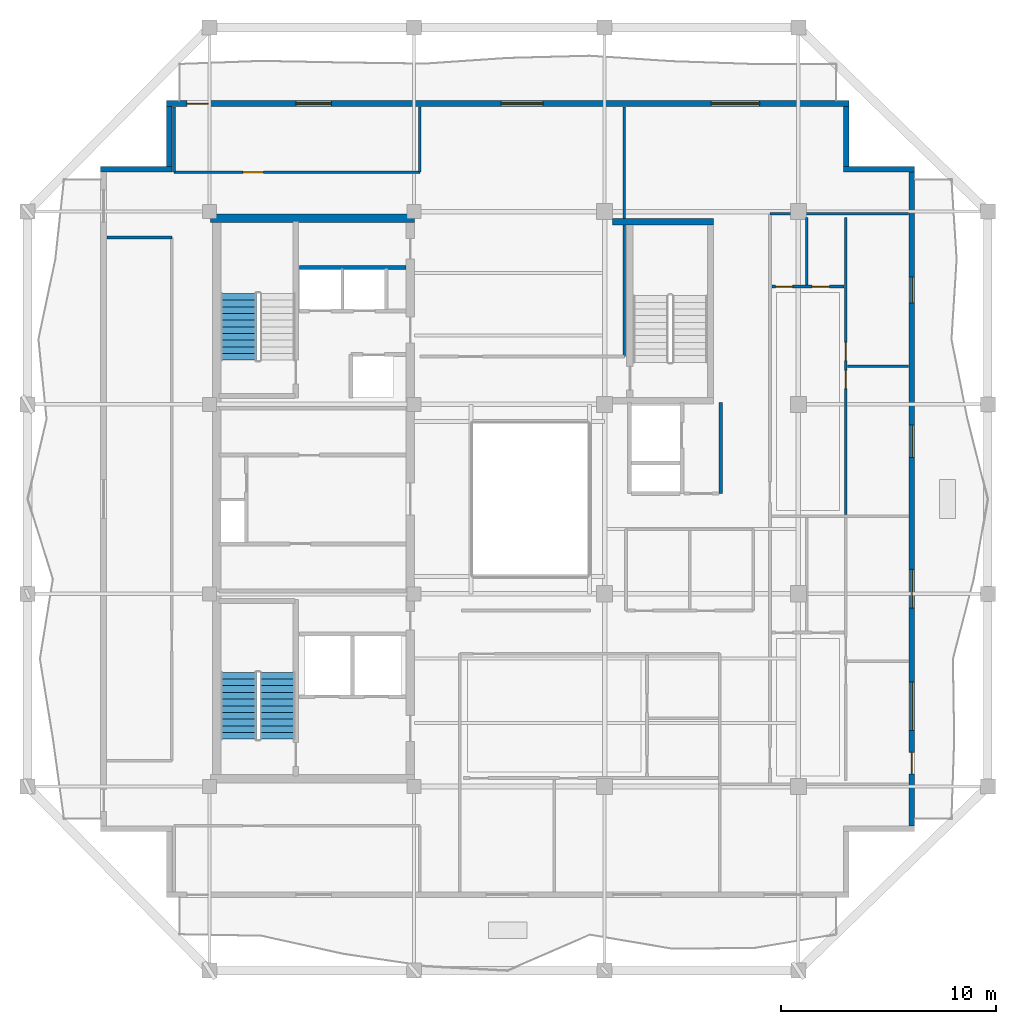
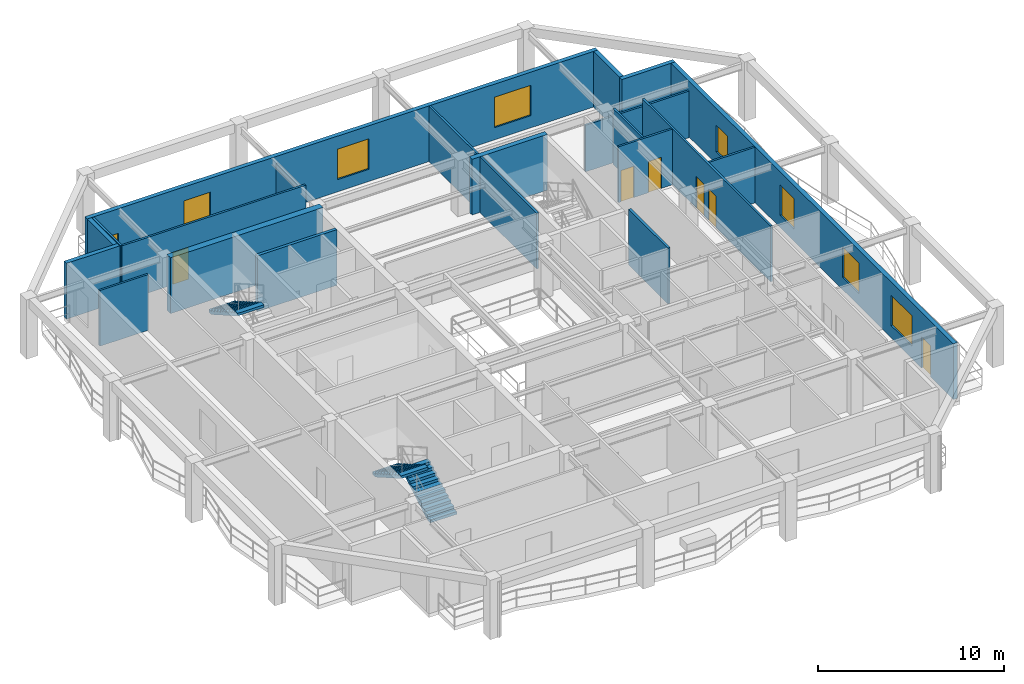
# One storey, part 5 of 10: 20 walls, 7 doors, 7 windows, 3 stair flights, 14 openings, 2 elements without a shape of their own.
"""IFC4 building model written with IfcOpenShell, lengths in metres."""

from ifc_helpers import new_model, si_unit, direction, frame, frame_2d, origin, place, context, subcontext, project, spatial, polyline, rectangle, outline, extrude, material, layer, layer_set, type_object, element, fill, aggregate, save


model = new_model("IFC4")

# Units and contexts
model_context = context("Model", 3, precision=1e-05, world=origin(), true_north=direction((0.0, 1.0)))
body_context = subcontext(model_context, "Body", "Model", "MODEL_VIEW")
ifc_project = project(units=[si_unit("LENGTHUNIT", "METRE"), si_unit("AREAUNIT", "SQUARE_METRE"), si_unit("VOLUMEUNIT", "CUBIC_METRE"), si_unit("PLANEANGLEUNIT", "RADIAN"), si_unit("MASSUNIT", "GRAM", prefix="KILO")], contexts=[model_context])

# Site, building, storey
site_placement = place(None, origin())
site = spatial("IfcSite", under=ifc_project, at=site_placement, CompositionType="ELEMENT")
building_placement = place(site_placement, origin())
building = spatial("IfcBuilding", under=site, at=building_placement, Name="Kundavana Baori Tower", CompositionType="ELEMENT")
storey_placement = place(building_placement, frame((0.0, 0.0, 280.39990234375)))
storey = spatial("IfcBuildingStorey", under=building, at=storey_placement, Name="L69", CompositionType="ELEMENT", Elevation=280.39990234375)

# Wall
ifc_material_1 = material(Name="Concrete C50/60", Category="concrete")
ifc_layer_1 = layer(ifc_material_1, 0.39990234375, Name="WL-CORE-400")
ifc_layer_set_1 = layer_set([ifc_layer_1], Name="Concrete C50/60")
wall_type_1 = type_object("IfcWallType", Name="WL-CORE-400", PredefinedType="SHEAR", material=ifc_layer_set_1)
wall_1_placement = place(storey_placement, frame((15.5, 41.639892578125, 0.0), z_axis=(0.0, 0.0, 1.0), x_axis=(1.0, 0.0, 0.0)))
element("IfcWall", 1, at=wall_1_placement, inside=storey, type_object=wall_type_1, Name="L69 Offset Core North Shear Wall", PredefinedType="SHEAR", context=body_context, shape_type="SweptSolid", body=[
    extrude(rectangle(XDim=9.47998046875, YDim=0.39990234375, at=frame_2d((4.739990234375, 0.0))), origin(), (0.0, 0.0, 1.0), 3.66015625),
])

# Wall, openings, door, windows
ifc_material_2 = material(Name="Kiln-Fired Terracotta Brick-Slip Masonry on Concrete C40/50", Category="masonry")
ifc_layer_2 = layer(ifc_material_2, 0.260009765625, Name="WL-EXT-BRK-260")
ifc_layer_set_2 = layer_set([ifc_layer_2], Name="Kiln-Fired Terracotta Brick-Slip Masonry on Concrete C40/50")
wall_type_2 = type_object("IfcWallType", Name="WL-EXT-BRK-260", PredefinedType="SOLIDWALL", material=ifc_layer_set_2)
wall_2_placement = place(storey_placement, frame((48.070068359375, 13.409912109375, 0.0), z_axis=(0.0, 0.0, 1.0), x_axis=(0.0, 1.0, 0.0)))
wall_2 = element("IfcWall", 2, at=wall_2_placement, inside=storey, type_object=wall_type_2, Name="L69 Exterior Insulated Facade Wall 04", PredefinedType="SOLIDWALL", context=body_context, shape_type="SweptSolid", body=[
    extrude(rectangle(XDim=30.380126953125, YDim=0.260009765625, at=frame_2d((15.18994140625, 0.0))), origin(), (0.0, 0.0, 1.0), 3.66015625),
])
opening_1_placement = place(wall_2_placement, frame((2.429931640625, 0.0, 0.0)))
opening_1 = element("IfcOpeningElement", 3, at=opening_1_placement, cuts=wall_2, Name="Opening BD-1", PredefinedType="OPENING", context=body_context, shape_type="SweptSolid", body=[
    extrude(rectangle(XDim=1.0, YDim=2.050048828125, at=frame_2d((0.5, 1.02490234375))), frame((0.0, 0.14013671875, 0.0), z_axis=(0.0, -1.0, 0.0), x_axis=(1.0, 0.0, 0.0)), (0.0, 0.0, 1.0), 0.280029296875),
])
opening_2_placement = place(wall_2_placement, frame((4.449951171875, 0.0, 0.800048828125)))
opening_2 = element("IfcOpeningElement", 4, at=opening_2_placement, cuts=wall_2, Name="Opening W-10", PredefinedType="OPENING", context=body_context, shape_type="SweptSolid", body=[
    extrude(rectangle(XDim=2.25, YDim=2.0, at=frame_2d((1.125, 1.0))), frame((0.0, 0.14013671875, 0.0), z_axis=(0.0, -1.0, 0.0), x_axis=(1.0, 0.0, 0.0)), (0.0, 0.0, 1.0), 0.280029296875),
])
opening_3_placement = place(wall_2_placement, frame((10.125, 0.0, 0.800048828125)))
opening_3 = element("IfcOpeningElement", 5, at=opening_3_placement, cuts=wall_2, Name="Opening W-01", PredefinedType="OPENING", context=body_context, shape_type="SweptSolid", body=[
    extrude(rectangle(XDim=1.800048828125, YDim=2.0, at=frame_2d((0.89990234375, 1.0))), frame((0.0, 0.14013671875, 0.0), z_axis=(0.0, -1.0, 0.0), x_axis=(1.0, 0.0, 0.0)), (0.0, 0.0, 1.0), 0.280029296875),
])
opening_4_placement = place(wall_2_placement, frame((17.1279296875, 0.0, 0.800048828125)))
opening_4 = element("IfcOpeningElement", 6, at=opening_4_placement, cuts=wall_2, Name="Opening W-02", PredefinedType="OPENING", context=body_context, shape_type="SweptSolid", body=[
    extrude(rectangle(XDim=1.5, YDim=2.0, at=frame_2d((0.75, 1.0))), frame((0.0, 0.14013671875, 0.0), z_axis=(0.0, -1.0, 0.0), x_axis=(1.0, 0.0, 0.0)), (0.0, 0.0, 1.0), 0.280029296875),
])
opening_5_placement = place(wall_2_placement, frame((24.302001953125, 0.0, 0.800048828125)))
opening_5 = element("IfcOpeningElement", 7, at=opening_5_placement, cuts=wall_2, Name="Opening W-03", PredefinedType="OPENING", context=body_context, shape_type="SweptSolid", body=[
    extrude(rectangle(XDim=1.199951171875, YDim=1.75, at=frame_2d((0.60009765625, 0.875))), frame((0.0, 0.14013671875, 0.0), z_axis=(0.0, -1.0, 0.0), x_axis=(1.0, 0.0, 0.0)), (0.0, 0.0, 1.0), 0.280029296875),
])
ifc_material_3 = material(Name="Architectural Patinated Bronze Metalwork")
door_type_1 = type_object("IfcDoorType", Name="DR-EXT-LOG-1000", OperationType="NOTDEFINED", PredefinedType="DOOR", material=ifc_material_3)
door_1_placement = place(opening_1_placement, frame((1.0, 0.0, 0.0), z_axis=(0.0, 0.0, 1.0), x_axis=(-1.0, 0.0, 0.0)))
door_1 = element("IfcDoor", 8, at=door_1_placement, inside=storey, type_object=door_type_1, Name="L69 Loggia Balcony Access Door E", OperationType="SINGLE_SWING_RIGHT", OverallHeight=2.050048828125, OverallWidth=1.0, PredefinedType="DOOR", context=body_context, shape_type="SweptSolid", body=[
    extrude(rectangle(XDim=1.0, YDim=2.050048828125, at=frame_2d((0.5, 1.02490234375))), frame((0.0, 0.02490234375, 0.0), z_axis=(0.0, -1.0, 0.0), x_axis=(1.0, 0.0, 0.0)), (0.0, 0.0, 1.0), 0.050048828125),
])
fill(opening_1, door_1)
ifc_material_4 = material(Name="Double-Glazed Solar-Control Low-E Insulated Glass", Category="glass")
window_type_1 = type_object("IfcWindowType", Name="WIN-LOG-1200x1750", PartitioningType="SINGLE_PANEL", PredefinedType="WINDOW", material=ifc_material_4)
window_1_placement = place(opening_5_placement, origin())
window_1 = element("IfcWindow", 9, at=window_1_placement, inside=storey, type_object=window_type_1, Name="L69 Recessed Loggia Window E-4", OverallHeight=1.75, OverallWidth=1.199951171875, PartitioningType="SINGLE_PANEL", PredefinedType="WINDOW", context=body_context, shape_type="SweptSolid", body=[
    extrude(rectangle(XDim=1.199951171875, YDim=1.75, at=frame_2d((0.60009765625, 0.875))), frame((0.0, 0.030029296875, 0.0), z_axis=(0.0, -1.0, 0.0), x_axis=(1.0, 0.0, 0.0)), (0.0, 0.0, 1.0), 0.06005859375),
])
fill(opening_5, window_1)
ifc_material_5 = material(Name="Double-Glazed Solar-Control Low-E Insulated Glass", Category="glass")
window_type_2 = type_object("IfcWindowType", Name="WIN-LOG-1500x2000", PartitioningType="SINGLE_PANEL", PredefinedType="WINDOW", material=ifc_material_5)
window_2_placement = place(opening_4_placement, origin())
window_2 = element("IfcWindow", 10, at=window_2_placement, inside=storey, type_object=window_type_2, Name="L69 Recessed Loggia Window E-3", OverallHeight=2.0, OverallWidth=1.5, PartitioningType="SINGLE_PANEL", PredefinedType="WINDOW", context=body_context, shape_type="SweptSolid", body=[
    extrude(rectangle(XDim=1.5, YDim=2.0, at=frame_2d((0.75, 1.0))), frame((0.0, 0.030029296875, 0.0), z_axis=(0.0, -1.0, 0.0), x_axis=(1.0, 0.0, 0.0)), (0.0, 0.0, 1.0), 0.06005859375),
])
fill(opening_4, window_2)
ifc_material_6 = material(Name="Double-Glazed Solar-Control Low-E Insulated Glass", Category="glass")
window_type_3 = type_object("IfcWindowType", Name="WIN-LOG-1800x2000", PartitioningType="SINGLE_PANEL", PredefinedType="WINDOW", material=ifc_material_6)
window_3_placement = place(opening_3_placement, origin())
window_3 = element("IfcWindow", 11, at=window_3_placement, inside=storey, type_object=window_type_3, Name="L69 Recessed Loggia Window E-2", OverallHeight=2.0, OverallWidth=1.800048828125, PartitioningType="SINGLE_PANEL", PredefinedType="WINDOW", context=body_context, shape_type="SweptSolid", body=[
    extrude(rectangle(XDim=1.800048828125, YDim=2.0, at=frame_2d((0.89990234375, 1.0))), frame((0.0, 0.030029296875, 0.0), z_axis=(0.0, -1.0, 0.0), x_axis=(1.0, 0.0, 0.0)), (0.0, 0.0, 1.0), 0.06005859375),
])
fill(opening_3, window_3)
ifc_material_7 = material(Name="Double-Glazed Solar-Control Low-E Insulated Glass", Category="glass")
window_type_4 = type_object("IfcWindowType", Name="WIN-LOG-2250x2000", PartitioningType="SINGLE_PANEL", PredefinedType="WINDOW", material=ifc_material_7)
window_4_placement = place(opening_2_placement, origin())
window_4 = element("IfcWindow", 12, at=window_4_placement, inside=storey, type_object=window_type_4, Name="L69 Recessed Loggia Window E-1", OverallHeight=2.0, OverallWidth=2.25, PartitioningType="SINGLE_PANEL", PredefinedType="WINDOW", context=body_context, shape_type="SweptSolid", body=[
    extrude(rectangle(XDim=2.25, YDim=2.0, at=frame_2d((1.125, 1.0))), frame((0.0, 0.030029296875, 0.0), z_axis=(0.0, -1.0, 0.0), x_axis=(1.0, 0.0, 0.0)), (0.0, 0.0, 1.0), 0.06005859375),
])
fill(opening_2, window_4)

# Walls
wall_3_placement = place(storey_placement, frame((48.199951171875, 43.919921875, 0.0), z_axis=(0.0, 0.0, 1.0), x_axis=(-1.0, 0.0, 0.0)))
element("IfcWall", 13, at=wall_3_placement, inside=storey, type_object=wall_type_2, Name="L69 Exterior Insulated Facade Wall 05", PredefinedType="SOLIDWALL", context=body_context, shape_type="SweptSolid", body=[
    extrude(rectangle(XDim=3.31005859375, YDim=0.260009765625, at=frame_2d((1.655029296875, 0.0))), origin(), (0.0, 0.0, 1.0), 3.66015625),
])
wall_4_placement = place(storey_placement, frame((45.02001953125, 44.050048828125, 0.0), z_axis=(0.0, 0.0, 1.0), x_axis=(0.0, 1.0, 0.0)))
element("IfcWall", 14, at=wall_4_placement, inside=storey, type_object=wall_type_2, Name="L69 Exterior Insulated Facade Wall 06", PredefinedType="SOLIDWALL", context=body_context, shape_type="SweptSolid", body=[
    extrude(rectangle(XDim=2.7900390625, YDim=0.260009765625, at=frame_2d((1.39501953125, 0.0))), origin(), (0.0, 0.0, 1.0), 3.66015625),
])

# Wall, openings, door, windows
wall_5_placement = place(storey_placement, frame((45.14990234375, 46.969970703125, 0.0), z_axis=(0.0, 0.0, 1.0), x_axis=(-1.0, 0.0, 0.0)))
wall_5 = element("IfcWall", 15, at=wall_5_placement, inside=storey, type_object=wall_type_2, Name="L69 Exterior Insulated Facade Wall 07", PredefinedType="SOLIDWALL", context=body_context, shape_type="SweptSolid", body=[
    extrude(rectangle(XDim=31.699951171875, YDim=0.260009765625, at=frame_2d((15.85009765625, 0.0))), origin(), (0.0, 0.0, 1.0), 3.66015625),
])
opening_6_placement = place(wall_5_placement, frame((29.75, 0.0, 0.0)))
opening_6 = element("IfcOpeningElement", 16, at=opening_6_placement, cuts=wall_5, Name="Opening BD-1", PredefinedType="OPENING", context=body_context, shape_type="SweptSolid", body=[
    extrude(rectangle(XDim=1.0, YDim=2.050048828125, at=frame_2d((0.5, 1.02490234375))), frame((0.0, 0.14013671875, 0.0), z_axis=(0.0, -1.0, 0.0), x_axis=(1.0, 0.0, 0.0)), (0.0, 0.0, 1.0), 0.280029296875),
])
opening_7_placement = place(wall_5_placement, frame((24.0400390625, 0.0, 0.800048828125)))
opening_7 = element("IfcOpeningElement", 17, at=opening_7_placement, cuts=wall_5, Name="Opening W-08", PredefinedType="OPENING", context=body_context, shape_type="SweptSolid", body=[
    extrude(rectangle(XDim=1.64990234375, YDim=1.949951171875, at=frame_2d((0.824951171875, 0.97509765625))), frame((0.0, 0.14013671875, 0.0), z_axis=(0.0, -1.0, 0.0), x_axis=(1.0, 0.0, 0.0)), (0.0, 0.0, 1.0), 0.280029296875),
])
opening_8_placement = place(wall_5_placement, frame((14.205078125, 0.0, 0.800048828125)))
opening_8 = element("IfcOpeningElement", 18, at=opening_8_placement, cuts=wall_5, Name="Opening W-09", PredefinedType="OPENING", context=body_context, shape_type="SweptSolid", body=[
    extrude(rectangle(XDim=1.949951171875, YDim=2.0, at=frame_2d((0.97509765625, 1.0))), frame((0.0, 0.14013671875, 0.0), z_axis=(0.0, -1.0, 0.0), x_axis=(1.0, 0.0, 0.0)), (0.0, 0.0, 1.0), 0.280029296875),
])
opening_9_placement = place(wall_5_placement, frame((4.14501953125, 0.0, 0.800048828125)))
opening_9 = element("IfcOpeningElement", 19, at=opening_9_placement, cuts=wall_5, Name="Opening W-10", PredefinedType="OPENING", context=body_context, shape_type="SweptSolid", body=[
    extrude(rectangle(XDim=2.25, YDim=2.0, at=frame_2d((1.125, 1.0))), frame((0.0, 0.14013671875, 0.0), z_axis=(0.0, -1.0, 0.0), x_axis=(1.0, 0.0, 0.0)), (0.0, 0.0, 1.0), 0.280029296875),
])
door_2_placement = place(opening_6_placement, frame((1.0, 0.0, 0.0), z_axis=(0.0, 0.0, 1.0), x_axis=(-1.0, 0.0, 0.0)))
door_2 = element("IfcDoor", 20, at=door_2_placement, inside=storey, type_object=door_type_1, Name="L69 Loggia Balcony Access Door N", OperationType="SINGLE_SWING_LEFT", OverallHeight=2.050048828125, OverallWidth=1.0, PredefinedType="DOOR", context=body_context, shape_type="SweptSolid", body=[
    extrude(rectangle(XDim=1.0, YDim=2.050048828125, at=frame_2d((0.5, 1.02490234375))), frame((0.0, 0.02490234375, 0.0), z_axis=(0.0, -1.0, 0.0), x_axis=(1.0, 0.0, 0.0)), (0.0, 0.0, 1.0), 0.050048828125),
])
fill(opening_6, door_2)
ifc_material_8 = material(Name="Double-Glazed Solar-Control Low-E Insulated Glass", Category="glass")
window_type_5 = type_object("IfcWindowType", Name="WIN-LOG-1650x1950", PartitioningType="SINGLE_PANEL", PredefinedType="WINDOW", material=ifc_material_8)
window_5_placement = place(opening_7_placement, origin())
window_5 = element("IfcWindow", 21, at=window_5_placement, inside=storey, type_object=window_type_5, Name="L69 Recessed Loggia Window N-1", OverallHeight=1.949951171875, OverallWidth=1.64990234375, PartitioningType="SINGLE_PANEL", PredefinedType="WINDOW", context=body_context, shape_type="SweptSolid", body=[
    extrude(rectangle(XDim=1.64990234375, YDim=1.949951171875, at=frame_2d((0.824951171875, 0.97509765625))), frame((0.0, 0.030029296875, 0.0), z_axis=(0.0, -1.0, 0.0), x_axis=(1.0, 0.0, 0.0)), (0.0, 0.0, 1.0), 0.06005859375),
])
fill(opening_7, window_5)
ifc_material_9 = material(Name="Double-Glazed Solar-Control Low-E Insulated Glass", Category="glass")
window_type_6 = type_object("IfcWindowType", Name="WIN-LOG-1950x2000", PartitioningType="SINGLE_PANEL", PredefinedType="WINDOW", material=ifc_material_9)
window_6_placement = place(opening_8_placement, origin())
window_6 = element("IfcWindow", 22, at=window_6_placement, inside=storey, type_object=window_type_6, Name="L69 Recessed Loggia Window N-2", OverallHeight=2.0, OverallWidth=1.949951171875, PartitioningType="SINGLE_PANEL", PredefinedType="WINDOW", context=body_context, shape_type="SweptSolid", body=[
    extrude(rectangle(XDim=1.949951171875, YDim=2.0, at=frame_2d((0.97509765625, 1.0))), frame((0.0, 0.030029296875, 0.0), z_axis=(0.0, -1.0, 0.0), x_axis=(1.0, 0.0, 0.0)), (0.0, 0.0, 1.0), 0.06005859375),
])
fill(opening_8, window_6)
window_7_placement = place(opening_9_placement, origin())
window_7 = element("IfcWindow", 23, at=window_7_placement, inside=storey, type_object=window_type_4, Name="L69 Recessed Loggia Window N-3", OverallHeight=2.0, OverallWidth=2.25, PartitioningType="SINGLE_PANEL", PredefinedType="WINDOW", context=body_context, shape_type="SweptSolid", body=[
    extrude(rectangle(XDim=2.25, YDim=2.0, at=frame_2d((1.125, 1.0))), frame((0.0, 0.030029296875, 0.0), z_axis=(0.0, -1.0, 0.0), x_axis=(1.0, 0.0, 0.0)), (0.0, 0.0, 1.0), 0.06005859375),
])
fill(opening_9, window_7)

# Walls
wall_6_placement = place(storey_placement, frame((13.580078125, 46.840087890625, 0.0), z_axis=(0.0, 0.0, 1.0), x_axis=(0.0, -1.0, 0.0)))
element("IfcWall", 24, at=wall_6_placement, inside=storey, type_object=wall_type_2, Name="L69 Exterior Insulated Facade Wall 08", PredefinedType="SOLIDWALL", context=body_context, shape_type="SweptSolid", body=[
    extrude(rectangle(XDim=2.7900390625, YDim=0.260009765625, at=frame_2d((1.39501953125, 0.0))), origin(), (0.0, 0.0, 1.0), 3.66015625),
])
wall_7_placement = place(storey_placement, frame((13.7099609375, 43.919921875, 0.0), z_axis=(0.0, 0.0, 1.0), x_axis=(-1.0, 0.0, 0.0)))
element("IfcWall", 25, at=wall_7_placement, inside=storey, type_object=wall_type_2, Name="L69 Exterior Insulated Facade Wall 09", PredefinedType="SOLIDWALL", context=body_context, shape_type="SweptSolid", body=[
    extrude(rectangle(XDim=3.31005859375, YDim=0.260009765625, at=frame_2d((1.655029296875, 0.0))), origin(), (0.0, 0.0, 1.0), 3.66015625),
])
ifc_material_10 = material(Name="Fire-Rated Gypsum Drywall on Galvanised Steel Studs", Category="steel")
ifc_layer_3 = layer(ifc_material_10, 0.14990234375, Name="WL-PART-150")
ifc_layer_set_3 = layer_set([ifc_layer_3], Name="Fire-Rated Gypsum Drywall on Galvanised Steel Studs")
wall_type_3 = type_object("IfcWallType", Name="WL-PART-150", PredefinedType="PARTITIONING", material=ifc_layer_set_3)
wall_8_placement = place(storey_placement, frame((39.199951171875, 28.860107421875, 0.0), z_axis=(0.0, 0.0, 1.0), x_axis=(0.0, 1.0, 0.0)))
element("IfcWall", 26, at=wall_8_placement, inside=storey, type_object=wall_type_3, Name="WL-L69-SVLOB-E", PredefinedType="PARTITIONING", context=body_context, shape_type="SweptSolid", body=[
    extrude(rectangle(XDim=4.219970703125, YDim=0.14990234375, at=frame_2d((2.10986328125, 0.0))), origin(), (0.0, 0.0, 1.0), 3.66015625),
])
ifc_material_11 = material(Name="Autoclaved Aerated Concrete Blockwork Masonry", Category="masonry")
ifc_layer_4 = layer(ifc_material_11, 0.179931640625, Name="WL-SHAFT-180")
ifc_layer_set_4 = layer_set([ifc_layer_4], Name="Autoclaved Aerated Concrete Blockwork Masonry")
wall_type_4 = type_object("IfcWallType", Name="WL-SHAFT-180", PredefinedType="SOLIDWALL", material=ifc_layer_set_4)
wall_9_placement = place(storey_placement, frame((19.639892578125, 39.360107421875, 0.0), z_axis=(0.0, 0.0, 1.0), x_axis=(1.0, 0.0, 0.0)))
element("IfcWall", 27, at=wall_9_placement, inside=storey, type_object=wall_type_4, Name="WL-L69-HRLOB-TOP", PredefinedType="SOLIDWALL", context=body_context, shape_type="SweptSolid", body=[
    extrude(rectangle(XDim=4.940185546875, YDim=0.179931640625, at=frame_2d((2.47021484375, 0.0))), origin(), (0.0, 0.0, 1.0), 3.66015625),
])
ifc_material_12 = material(Name="Concrete C50/60", Category="concrete")
ifc_layer_5 = layer(ifc_material_12, 0.300048828125, Name="WL-ST3-300")
ifc_layer_set_5 = layer_set([ifc_layer_5], Name="Concrete C50/60")
wall_type_5 = type_object("IfcWallType", Name="WL-ST3-300", PredefinedType="SHEAR", material=ifc_layer_set_5)
wall_10_placement = place(storey_placement, frame((34.175048828125, 41.489990234375, 0.0), z_axis=(0.0, 0.0, 1.0), x_axis=(1.0, 0.0, 0.0)))
element("IfcWall", 28, at=wall_10_placement, inside=storey, type_object=wall_type_5, Name="L69 Stair ST3 North Shear Wall", PredefinedType="SHEAR", context=body_context, shape_type="SweptSolid", body=[
    extrude(rectangle(XDim=4.695068359375, YDim=0.300048828125, at=frame_2d((2.34765625, 0.0))), origin(), (0.0, 0.0, 1.0), 3.66015625),
])

# Wall, opening, door
ifc_material_13 = material(Name="Autoclaved Aerated Concrete Blockwork Masonry", Category="masonry")
ifc_layer_6 = layer(ifc_material_13, 0.125, Name="WL-WET-120")
ifc_layer_set_6 = layer_set([ifc_layer_6], Name="Autoclaved Aerated Concrete Blockwork Masonry")
wall_type_6 = type_object("IfcWallType", Name="WL-WET-120", PredefinedType="PLUMBINGWALL", material=ifc_layer_set_6)
wall_11_placement = place(storey_placement, frame((13.800048828125, 43.780029296875, 0.0), z_axis=(0.0, 0.0, 1.0), x_axis=(1.0, 0.0, 0.0)))
wall_11 = element("IfcWall", 29, at=wall_11_placement, inside=storey, type_object=wall_type_6, Name="WL-L69-RNC", PredefinedType="PLUMBINGWALL", context=body_context, shape_type="SweptSolid", body=[
    extrude(rectangle(XDim=11.419921875, YDim=0.125, at=frame_2d((5.7099609375, 0.0))), origin(), (0.0, 0.0, 1.0), 3.66015625),
])
opening_10_placement = place(wall_11_placement, frame((3.199951171875, 0.0, 0.0)))
opening_10 = element("IfcOpeningElement", 30, at=opening_10_placement, cuts=wall_11, Name="Opening ID-095", PredefinedType="OPENING", context=body_context, shape_type="SweptSolid", body=[
    extrude(rectangle(XDim=0.949951171875, YDim=2.080078125, at=frame_2d((0.47509765625, 1.0400390625))), frame((0.0, 0.072509765625, 0.0), z_axis=(0.0, -1.0, 0.0), x_axis=(1.0, 0.0, 0.0)), (0.0, 0.0, 1.0), 0.14501953125),
])
ifc_material_14 = material(Name="Engineered Teak Solid-Core Timber Veneer", Category="wood")
door_type_2 = type_object("IfcDoorType", Name="DR-INT-950", OperationType="NOTDEFINED", PredefinedType="DOOR", material=ifc_material_14)
door_3_placement = place(opening_10_placement, origin())
door_3 = element("IfcDoor", 31, at=door_3_placement, inside=storey, type_object=door_type_2, Name="DR-L69-RMNW", OperationType="SINGLE_SWING_RIGHT", OverallHeight=2.080078125, OverallWidth=0.949951171875, PredefinedType="DOOR", context=body_context, shape_type="SweptSolid", body=[
    extrude(rectangle(XDim=0.949951171875, YDim=2.080078125, at=frame_2d((0.47509765625, 1.0400390625))), frame((0.0, 0.02490234375, 0.0), z_axis=(0.0, -1.0, 0.0), x_axis=(1.0, 0.0, 0.0)), (0.0, 0.0, 1.0), 0.050048828125),
])
fill(opening_10, door_3)

# Walls
wall_12_placement = place(storey_placement, frame((13.800048828125, 43.780029296875, 0.0), z_axis=(0.0, 0.0, 1.0), x_axis=(0.0, 1.0, 0.0)))
element("IfcWall", 32, at=wall_12_placement, inside=storey, type_object=wall_type_6, Name="WL-L69-RNCW", PredefinedType="PLUMBINGWALL", context=body_context, shape_type="SweptSolid", body=[
    extrude(rectangle(XDim=3.0400390625, YDim=0.125, at=frame_2d((1.52001953125, 0.0))), origin(), (0.0, 0.0, 1.0), 3.66015625),
])
wall_13_placement = place(storey_placement, frame((25.219970703125, 43.780029296875, 0.0), z_axis=(0.0, 0.0, 1.0), x_axis=(0.0, 1.0, 0.0)))
element("IfcWall", 33, at=wall_13_placement, inside=storey, type_object=wall_type_6, Name="WL-L69-RNCE", PredefinedType="PLUMBINGWALL", context=body_context, shape_type="SweptSolid", body=[
    extrude(rectangle(XDim=3.0400390625, YDim=0.125, at=frame_2d((1.52001953125, 0.0))), origin(), (0.0, 0.0, 1.0), 3.210205078125),
])
wall_14_placement = place(storey_placement, frame((10.679931640625, 40.75, 0.0), z_axis=(0.0, 0.0, 1.0), x_axis=(1.0, 0.0, 0.0)))
element("IfcWall", 34, at=wall_14_placement, inside=storey, type_object=wall_type_6, Name="WL-L69-RWN", PredefinedType="PLUMBINGWALL", context=body_context, shape_type="SweptSolid", body=[
    extrude(rectangle(XDim=3.02001953125, YDim=0.125, at=frame_2d((1.510009765625, 0.0))), origin(), (0.0, 0.0, 1.0), 3.66015625),
])
wall_15_placement = place(storey_placement, frame((34.719970703125, 35.219970703125, 0.0), z_axis=(0.0, 0.0, 1.0), x_axis=(0.0, 1.0, 0.0)))
element("IfcWall", 35, at=wall_15_placement, inside=storey, type_object=wall_type_6, Name="WL-L69-RNEND", PredefinedType="PLUMBINGWALL", context=body_context, shape_type="SweptSolid", body=[
    extrude(rectangle(XDim=11.60009765625, YDim=0.125, at=frame_2d((5.800048828125, 0.0))), origin(), (0.0, 0.0, 1.0), 3.66015625),
])
wall_16_placement = place(storey_placement, frame((41.47998046875, 41.85009765625, 0.0), z_axis=(0.0, 0.0, 1.0), x_axis=(1.0, 0.0, 0.0)))
element("IfcWall", 36, at=wall_16_placement, inside=storey, type_object=wall_type_6, Name="WL-L69-REN", PredefinedType="PLUMBINGWALL", context=body_context, shape_type="SweptSolid", body=[
    extrude(rectangle(XDim=6.43994140625, YDim=0.125, at=frame_2d((3.219970703125, 0.0))), origin(), (0.0, 0.0, 1.0), 3.06005859375),
])

# Wall, openings, doors
wall_17_placement = place(storey_placement, frame((45.00390625, 27.8798828125, 0.0), z_axis=(0.0, 0.0, 1.0), x_axis=(0.0, 1.0, 0.0)))
wall_17 = element("IfcWall", 37, at=wall_17_placement, inside=storey, type_object=wall_type_6, Name="WL-L69-E2-VT", PredefinedType="PLUMBINGWALL", context=body_context, shape_type="SweptSolid", body=[
    extrude(rectangle(XDim=13.7900390625, YDim=0.125, at=frame_2d((6.89501953125, 0.0))), origin(), (0.0, 0.0, 1.0), 3.66015625),
])
opening_11_placement = place(wall_17_placement, frame((5.844970703125, 0.0, 0.0)))
opening_11 = element("IfcOpeningElement", 38, at=opening_11_placement, cuts=wall_17, Name="Opening ID-085", PredefinedType="OPENING", context=body_context, shape_type="SweptSolid", body=[
    extrude(rectangle(XDim=0.85009765625, YDim=2.080078125, at=frame_2d((0.425048828125, 1.0400390625))), frame((0.0, 0.072509765625, 0.0), z_axis=(0.0, -1.0, 0.0), x_axis=(1.0, 0.0, 0.0)), (0.0, 0.0, 1.0), 0.14501953125),
])
opening_12_placement = place(wall_17_placement, frame((7.14501953125, 0.0, 0.0)))
opening_12 = element("IfcOpeningElement", 39, at=opening_12_placement, cuts=wall_17, Name="Opening ID-085", PredefinedType="OPENING", context=body_context, shape_type="SweptSolid", body=[
    extrude(rectangle(XDim=0.85009765625, YDim=2.080078125, at=frame_2d((0.425048828125, 1.0400390625))), frame((0.0, 0.072509765625, 0.0), z_axis=(0.0, -1.0, 0.0), x_axis=(1.0, 0.0, 0.0)), (0.0, 0.0, 1.0), 0.14501953125),
])
ifc_material_15 = material(Name="Engineered Teak Solid-Core Timber Veneer", Category="wood")
door_type_3 = type_object("IfcDoorType", Name="DR-INT-850", OperationType="NOTDEFINED", PredefinedType="DOOR", material=ifc_material_15)
door_4_placement = place(opening_11_placement, origin())
door_4 = element("IfcDoor", 40, at=door_4_placement, inside=storey, type_object=door_type_3, Name="DR-L69-E2-B1", OperationType="SINGLE_SWING_LEFT", OverallHeight=2.080078125, OverallWidth=0.85009765625, PredefinedType="DOOR", context=body_context, shape_type="SweptSolid", body=[
    extrude(rectangle(XDim=0.85009765625, YDim=2.080078125, at=frame_2d((0.425048828125, 1.0400390625))), frame((0.0, 0.02490234375, 0.0), z_axis=(0.0, -1.0, 0.0), x_axis=(1.0, 0.0, 0.0)), (0.0, 0.0, 1.0), 0.050048828125),
])
fill(opening_11, door_4)
door_5_placement = place(opening_12_placement, origin())
door_5 = element("IfcDoor", 41, at=door_5_placement, inside=storey, type_object=door_type_3, Name="DR-L69-E2-B2", OperationType="SINGLE_SWING_RIGHT", OverallHeight=2.080078125, OverallWidth=0.85009765625, PredefinedType="DOOR", context=body_context, shape_type="SweptSolid", body=[
    extrude(rectangle(XDim=0.85009765625, YDim=2.080078125, at=frame_2d((0.425048828125, 1.0400390625))), frame((0.0, 0.02490234375, 0.0), z_axis=(0.0, -1.0, 0.0), x_axis=(1.0, 0.0, 0.0)), (0.0, 0.0, 1.0), 0.050048828125),
])
fill(opening_12, door_5)

wall_18_placement = place(storey_placement, frame((41.580078125, 38.469970703125, 0.0), z_axis=(0.0, 0.0, 1.0), x_axis=(1.0, 0.0, 0.0)))
wall_18 = element("IfcWall", 42, at=wall_18_placement, inside=storey, type_object=wall_type_6, Name="WL-L69-E2-KH", PredefinedType="PLUMBINGWALL", context=body_context, shape_type="SweptSolid", body=[
    extrude(rectangle(XDim=3.343994140625, YDim=0.125, at=frame_2d((1.671875, 0.0))), origin(), (0.0, 0.0, 1.0), 3.66015625),
])
opening_13_placement = place(wall_18_placement, frame((0.159912109375, 0.0, 0.0)))
opening_13 = element("IfcOpeningElement", 43, at=opening_13_placement, cuts=wall_18, Name="Opening WD-080", PredefinedType="OPENING", context=body_context, shape_type="SweptSolid", body=[
    extrude(rectangle(XDim=0.800048828125, YDim=2.050048828125, at=frame_2d((0.39990234375, 1.02490234375))), frame((0.0, 0.072509765625, 0.0), z_axis=(0.0, -1.0, 0.0), x_axis=(1.0, 0.0, 0.0)), (0.0, 0.0, 1.0), 0.14501953125),
])
opening_14_placement = place(wall_18_placement, frame((1.864990234375, 0.0, 0.0)))
opening_14 = element("IfcOpeningElement", 44, at=opening_14_placement, cuts=wall_18, Name="Opening WD-080", PredefinedType="OPENING", context=body_context, shape_type="SweptSolid", body=[
    extrude(rectangle(XDim=0.800048828125, YDim=2.050048828125, at=frame_2d((0.39990234375, 1.02490234375))), frame((0.0, 0.072509765625, 0.0), z_axis=(0.0, -1.0, 0.0), x_axis=(1.0, 0.0, 0.0)), (0.0, 0.0, 1.0), 0.14501953125),
])
ifc_material_16 = material(Name="Engineered Teak Solid-Core Timber Veneer", Category="wood")
door_type_4 = type_object("IfcDoorType", Name="DR-WET-800", OperationType="NOTDEFINED", PredefinedType="DOOR", material=ifc_material_16)
door_6_placement = place(opening_13_placement, origin())
door_6 = element("IfcDoor", 45, at=door_6_placement, inside=storey, type_object=door_type_4, Name="DR-L69-E2-BT", OperationType="SINGLE_SWING_LEFT", OverallHeight=2.050048828125, OverallWidth=0.800048828125, PredefinedType="DOOR", context=body_context, shape_type="SweptSolid", body=[
    extrude(rectangle(XDim=0.800048828125, YDim=2.050048828125, at=frame_2d((0.39990234375, 1.02490234375))), frame((0.0, 0.02490234375, 0.0), z_axis=(0.0, -1.0, 0.0), x_axis=(1.0, 0.0, 0.0)), (0.0, 0.0, 1.0), 0.050048828125),
])
fill(opening_13, door_6)
door_7_placement = place(opening_14_placement, origin())
door_7 = element("IfcDoor", 46, at=door_7_placement, inside=storey, type_object=door_type_4, Name="DR-L69-E2-KT", OperationType="SINGLE_SWING_RIGHT", OverallHeight=2.050048828125, OverallWidth=0.800048828125, PredefinedType="DOOR", context=body_context, shape_type="SweptSolid", body=[
    extrude(rectangle(XDim=0.800048828125, YDim=2.050048828125, at=frame_2d((0.39990234375, 1.02490234375))), frame((0.0, 0.02490234375, 0.0), z_axis=(0.0, -1.0, 0.0), x_axis=(1.0, 0.0, 0.0)), (0.0, 0.0, 1.0), 0.050048828125),
])
fill(opening_14, door_7)

# Walls
wall_19_placement = place(storey_placement, frame((43.18505859375, 38.550048828125, 0.0), z_axis=(0.0, 0.0, 1.0), x_axis=(0.0, 1.0, 0.0)))
element("IfcWall", 47, at=wall_19_placement, inside=storey, type_object=wall_type_6, Name="WL-L69-E2-BV", PredefinedType="PLUMBINGWALL", context=body_context, shape_type="SweptSolid", body=[
    extrude(rectangle(XDim=3.119873046875, YDim=0.125, at=frame_2d((1.56005859375, 0.0))), origin(), (0.0, 0.0, 1.0), 3.66015625),
])
wall_20_placement = place(storey_placement, frame((45.083984375, 34.77490234375, 0.0), z_axis=(0.0, 0.0, 1.0), x_axis=(1.0, 0.0, 0.0)))
element("IfcWall", 48, at=wall_20_placement, inside=storey, type_object=wall_type_6, Name="WL-L69-E2-BDH", PredefinedType="PLUMBINGWALL", context=body_context, shape_type="SweptSolid", body=[
    extrude(rectangle(XDim=2.8359375, YDim=0.125, at=frame_2d((1.41796875, 0.0))), origin(), (0.0, 0.0, 1.0), 3.66015625),
])

# Stair, stair flights
ifc_material_17 = material(Name="Concrete C40/50", Category="concrete")
stair_type = type_object("IfcStairType", Name="STR-DOG-1650", PredefinedType="HALF_TURN_STAIR", material=ifc_material_17)
stair_1_placement = place(storey_placement, origin())
stair_1 = element("IfcStair", 49, at=stair_1_placement, inside=storey, type_object=stair_type, Name="L69 Protected Exit Stair ST1", PredefinedType="HALF_TURN_STAIR")
ifc_material_18 = material(Name="Concrete C40/50", Category="concrete")
stair_flight_type = type_object("IfcStairFlightType", Name="SFL-RC-1650", PredefinedType="STRAIGHT", material=ifc_material_18)
stair_flight_1_placement = place(storey_placement, frame((18.614990234375, 17.449951171875, 0.0), z_axis=(0.0, 0.0, 1.0), x_axis=(0.0, 1.0, 0.0)))
stair_flight_1 = element("IfcStairFlight", 50, at=stair_flight_1_placement, type_object=stair_flight_type, Name="ST1 flight 1", NumberOfRisers=11, NumberOfTreads=10, PredefinedType="STRAIGHT", RiserHeight=0.177272727, TreadLength=0.31, context=body_context, shape_type="SweptSolid", body=[
    extrude(outline(polyline([(0.0, 0.0), (0.0, 0.17724609375), (0.31005859375, 0.17724609375), (0.31005859375, 0.3544921875), (0.6201171875, 0.3544921875), (0.6201171875, 0.53173828125), (0.929931640625, 0.53173828125), (0.929931640625, 0.708984375), (1.239990234375, 0.708984375), (1.239990234375, 0.886474609375), (1.550048828125, 0.886474609375), (1.550048828125, 1.063720703125), (1.860107421875, 1.063720703125), (1.860107421875, 1.240966796875), (2.169921875, 1.240966796875), (2.169921875, 1.418212890625), (2.47998046875, 1.418212890625), (2.47998046875, 1.595458984375), (2.7900390625, 1.595458984375), (2.7900390625, 1.772705078125), (3.10009765625, 1.772705078125), (3.10009765625, 1.949951171875), (3.10009765625, 1.60009765625), (0.302001953125, 0.0), (0.0, 0.0)])), frame((0.0, 0.824951171875, 0.0), z_axis=(0.0, -1.0, 0.0), x_axis=(1.0, 0.0, 0.0)), (0.0, 0.0, 1.0), 1.64990234375),
])
stair_flight_2_placement = place(storey_placement, frame((16.804931640625, 20.550048828125, 1.9501953125), z_axis=(0.0, 0.0, 1.0), x_axis=(0.0, -1.0, 0.0)))
stair_flight_2 = element("IfcStairFlight", 51, at=stair_flight_2_placement, type_object=stair_flight_type, Name="ST1 flight 2", NumberOfRisers=11, NumberOfTreads=10, PredefinedType="STRAIGHT", RiserHeight=0.177272727, TreadLength=0.31, context=body_context, shape_type="SweptSolid", body=[
    extrude(outline(polyline([(0.0, 0.0), (0.0, 0.17724609375), (0.31005859375, 0.17724609375), (0.31005859375, 0.3544921875), (0.6201171875, 0.3544921875), (0.6201171875, 0.53173828125), (0.929931640625, 0.53173828125), (0.929931640625, 0.708984375), (1.239990234375, 0.708984375), (1.239990234375, 0.886474609375), (1.550048828125, 0.886474609375), (1.550048828125, 1.063720703125), (1.860107421875, 1.063720703125), (1.860107421875, 1.240966796875), (2.169921875, 1.240966796875), (2.169921875, 1.418212890625), (2.47998046875, 1.418212890625), (2.47998046875, 1.595458984375), (2.7900390625, 1.595458984375), (2.7900390625, 1.772705078125), (3.10009765625, 1.772705078125), (3.10009765625, 1.949951171875), (3.10009765625, 1.60009765625), (0.302001953125, 0.0), (0.0, 0.0)])), frame((0.0, 0.824951171875, 0.0), z_axis=(0.0, -1.0, 0.0), x_axis=(1.0, 0.0, 0.0)), (0.0, 0.0, 1.0), 1.64990234375),
])
aggregate(stair_1, [stair_flight_1, stair_flight_2])

# Stair, stair flight
stair_2_placement = place(storey_placement, origin())
stair_2 = element("IfcStair", 52, at=stair_2_placement, inside=storey, type_object=stair_type, Name="L69 Protected Exit Stair ST2", PredefinedType="HALF_TURN_STAIR")
stair_flight_3_placement = place(storey_placement, frame((16.804931640625, 38.14990234375, 1.9501953125), z_axis=(0.0, 0.0, 1.0), x_axis=(0.0, -1.0, 0.0)))
stair_flight_3 = element("IfcStairFlight", 53, at=stair_flight_3_placement, type_object=stair_flight_type, Name="ST2 flight 2", NumberOfRisers=11, NumberOfTreads=10, PredefinedType="STRAIGHT", RiserHeight=0.177272727, TreadLength=0.31, context=body_context, shape_type="SweptSolid", body=[
    extrude(outline(polyline([(0.0, 0.0), (0.0, 0.17724609375), (0.31005859375, 0.17724609375), (0.31005859375, 0.3544921875), (0.6201171875, 0.3544921875), (0.6201171875, 0.53173828125), (0.929931640625, 0.53173828125), (0.929931640625, 0.708984375), (1.239990234375, 0.708984375), (1.239990234375, 0.886474609375), (1.550048828125, 0.886474609375), (1.550048828125, 1.063720703125), (1.860107421875, 1.063720703125), (1.860107421875, 1.240966796875), (2.169921875, 1.240966796875), (2.169921875, 1.418212890625), (2.47998046875, 1.418212890625), (2.47998046875, 1.595458984375), (2.7900390625, 1.595458984375), (2.7900390625, 1.772705078125), (3.10009765625, 1.772705078125), (3.10009765625, 1.949951171875), (3.10009765625, 1.60009765625), (0.302001953125, 0.0), (0.0, 0.0)])), frame((0.0, 0.824951171875, 0.0), z_axis=(0.0, -1.0, 0.0), x_axis=(1.0, 0.0, 0.0)), (0.0, 0.0, 1.0), 1.64990234375),
])
aggregate(stair_2, [stair_flight_3])

save(model, "model.ifc")
